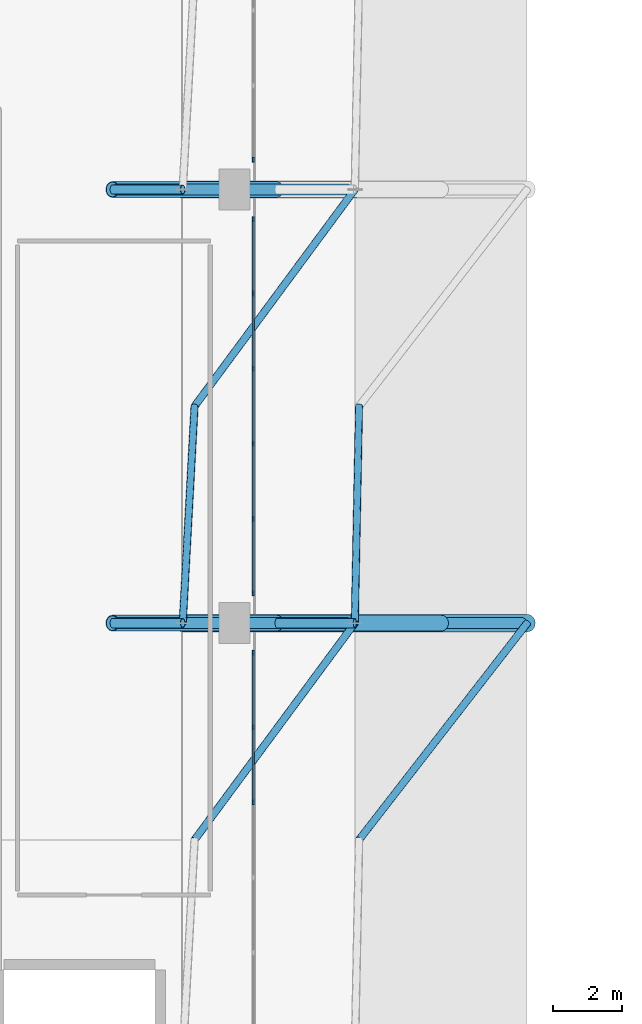
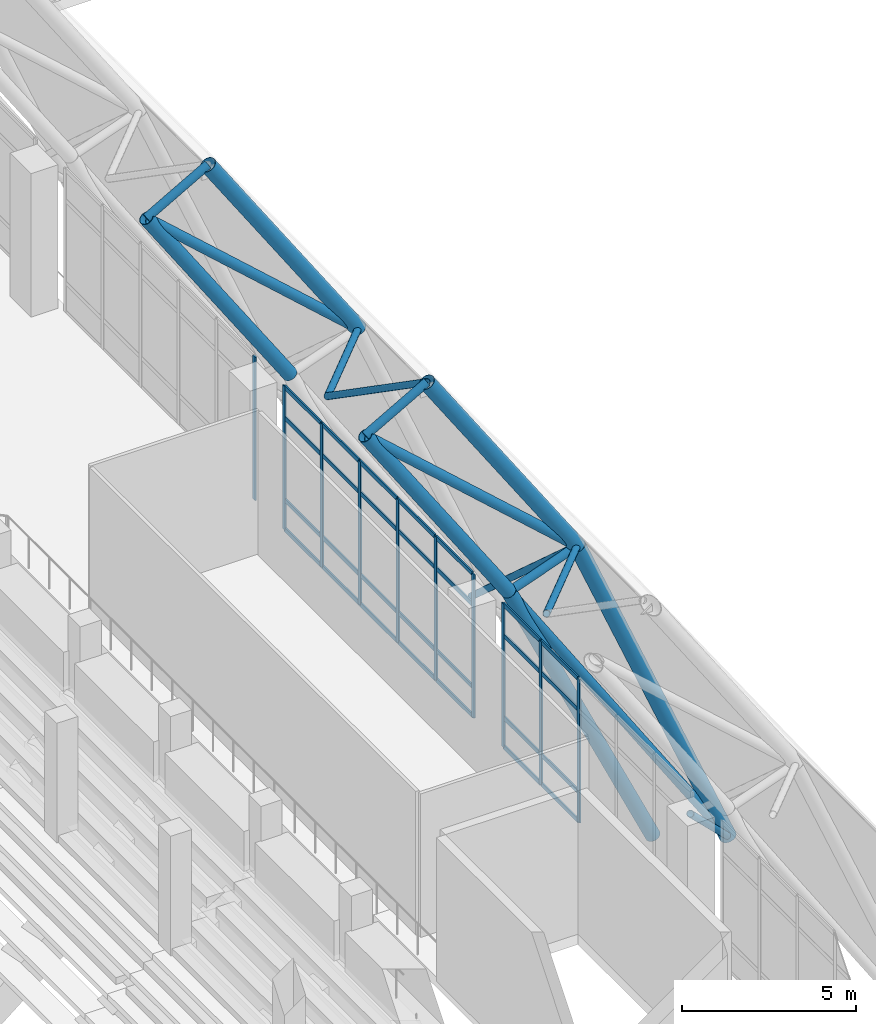
# One storey, part 53 of 159: 55 members, 3 elements without a shape of their own.
"""IFC4 building model written with IfcOpenShell, lengths in metres."""

from ifc_helpers import new_model, si_unit, derived_unit, direction, frame, origin, origin_2d, place, context, subcontext, project, spatial, rectangle, hollow_circle, extrude, material, layer, layer_set, material_profile, profile_set, type_object, element, aggregate, save


model = new_model("IFC4")

# Units and contexts
model_context = context("Model", 3, precision=1e-05, world=origin(), true_north=direction((0.0, 1.0)))
body_context = subcontext(model_context, "Body", "Model", "MODEL_VIEW")
ifc_project = project(units=[si_unit("LENGTHUNIT", "METRE"), si_unit("AREAUNIT", "SQUARE_METRE"), si_unit("VOLUMEUNIT", "CUBIC_METRE"), si_unit("PLANEANGLEUNIT", "RADIAN"), si_unit("MASSUNIT", "GRAM", prefix="KILO"), derived_unit("THERMALTRANSMITTANCEUNIT", [(si_unit("MASSUNIT", "GRAM", prefix="KILO"), 1), (si_unit("TIMEUNIT", "SECOND"), -3), (si_unit("THERMODYNAMICTEMPERATUREUNIT", "KELVIN"), -1)])], contexts=[model_context])

# Site, building, storey
site_placement = place(None, origin())
site = spatial("IfcSite", under=ifc_project, at=site_placement, CompositionType="ELEMENT")
building_placement = place(site_placement, origin())
building = spatial("IfcBuilding", under=site, at=building_placement, Name="Valcora Ridge Arena", CompositionType="ELEMENT")
storey_placement = place(building_placement, frame((0.0, 0.0, 6.0)))
storey = spatial("IfcBuildingStorey", under=building, at=storey_placement, Name="L01", CompositionType="ELEMENT", Elevation=6.0)

# Curtain wall, members
ifc_material_1 = material(Name="Anodised dark bronze architectural aluminium 6063-T6", Category="aluminium")
ifc_layer = layer(ifc_material_1, 0.14990234375, Name="Anodised dark bronze architectural aluminium 6063-T6")
ifc_layer_set = layer_set([ifc_layer], Name="Anodised dark bronze architectural aluminium 6063-T6")
curtain_wall_type = type_object("IfcCurtainWallType", Name="TY-CURTAINWALL-CW-V1-EAST-109X50", PredefinedType="NOTDEFINED", material=ifc_layer_set)
curtain_wall_1_placement = place(storey_placement, origin())
curtain_wall_1 = element("IfcCurtainWall", 1, at=curtain_wall_1_placement, inside=storey, type_object=curtain_wall_type, Name="CW-V1-EAST-109X50 CW-0109", PredefinedType="NOTDEFINED")
ifc_material_profile_1 = material_profile(ifc_material_1, rectangle(XDim=0.050048828125, YDim=0.14990234375, at=origin_2d()), Name="ALU MULLION 50x150")
ifc_profile_set_1 = profile_set([ifc_material_profile_1], Name="Anodised dark bronze architectural aluminium 6063-T6")
member_type_1 = type_object("IfcMemberType", Name="TY-MEM-CWM-50x150", PredefinedType="MULLION", material=ifc_profile_set_1)
member_1_placement = place(storey_placement, frame((103.050048828125, 65.19189453125, 0.0), z_axis=(0.0, 0.0, 1.0), x_axis=(-1.0, 0.0, 0.0)))
member_1 = element("IfcMember", 2, at=member_1_placement, type_object=member_type_1, Name="CW-0109/CWM-50x150/M03", PredefinedType="MULLION", context=body_context, shape_type="SweptSolid", body=[
    extrude(rectangle(XDim=0.050048828125, YDim=0.14990234375, at=origin_2d()), origin(), (0.0, 0.0, 1.0), 5.0400390625),
])
member_2_placement = place(storey_placement, frame((103.050048828125, 67.3759765625, 0.0), z_axis=(0.0, 0.0, 1.0), x_axis=(-1.0, 0.0, 0.0)))
member_2 = element("IfcMember", 3, at=member_2_placement, type_object=member_type_1, Name="CW-0109/CWM-50x150/M04", PredefinedType="MULLION", context=body_context, shape_type="SweptSolid", body=[
    extrude(rectangle(XDim=0.050048828125, YDim=0.14990234375, at=origin_2d()), origin(), (0.0, 0.0, 1.0), 5.0400390625),
])
member_3_placement = place(storey_placement, frame((103.050048828125, 69.534912109375, 0.0), z_axis=(0.0, 0.0, 1.0), x_axis=(-1.0, 0.0, 0.0)))
member_3 = element("IfcMember", 4, at=member_3_placement, type_object=member_type_1, Name="CW-0109/CWM-50x150/M05", PredefinedType="MULLION", context=body_context, shape_type="SweptSolid", body=[
    extrude(rectangle(XDim=0.050048828125, YDim=0.14990234375, at=origin_2d()), origin(), (0.0, 0.0, 1.0), 5.0400390625),
])

curtain_wall_2_placement = place(storey_placement, origin())
curtain_wall_2 = element("IfcCurtainWall", 5, at=curtain_wall_2_placement, inside=storey, type_object=curtain_wall_type, Name="CW-V1-EAST-109X50 CW-0110", PredefinedType="NOTDEFINED")
member_4_placement = place(storey_placement, frame((103.050048828125, 71.264892578125, 0.0), z_axis=(0.0, 0.0, 1.0), x_axis=(-1.0, 0.0, 0.0)))
member_4 = element("IfcMember", 6, at=member_4_placement, type_object=member_type_1, Name="CW-0110/CWM-50x150/M00", PredefinedType="MULLION", context=body_context, shape_type="SweptSolid", body=[
    extrude(rectangle(XDim=0.050048828125, YDim=0.14990234375, at=origin_2d()), origin(), (0.0, 0.0, 1.0), 5.0400390625),
])
member_5_placement = place(storey_placement, frame((103.050048828125, 73.424072265625, 0.0), z_axis=(0.0, 0.0, 1.0), x_axis=(-1.0, 0.0, 0.0)))
member_5 = element("IfcMember", 7, at=member_5_placement, type_object=member_type_1, Name="CW-0110/CWM-50x150/M01", PredefinedType="MULLION", context=body_context, shape_type="SweptSolid", body=[
    extrude(rectangle(XDim=0.050048828125, YDim=0.14990234375, at=origin_2d()), origin(), (0.0, 0.0, 1.0), 5.0400390625),
])
member_6_placement = place(storey_placement, frame((103.050048828125, 75.60791015625, 0.0), z_axis=(0.0, 0.0, 1.0), x_axis=(-1.0, 0.0, 0.0)))
member_6 = element("IfcMember", 8, at=member_6_placement, type_object=member_type_1, Name="CW-0110/CWM-50x150/M02", PredefinedType="MULLION", context=body_context, shape_type="SweptSolid", body=[
    extrude(rectangle(XDim=0.050048828125, YDim=0.14990234375, at=origin_2d()), origin(), (0.0, 0.0, 1.0), 5.0400390625),
])
member_7_placement = place(storey_placement, frame((103.050048828125, 77.7919921875, 0.0), z_axis=(0.0, 0.0, 1.0), x_axis=(-1.0, 0.0, 0.0)))
member_7 = element("IfcMember", 9, at=member_7_placement, type_object=member_type_1, Name="CW-0110/CWM-50x150/M03", PredefinedType="MULLION", context=body_context, shape_type="SweptSolid", body=[
    extrude(rectangle(XDim=0.050048828125, YDim=0.14990234375, at=origin_2d()), origin(), (0.0, 0.0, 1.0), 5.0400390625),
])
member_8_placement = place(storey_placement, frame((103.050048828125, 79.97607421875, 0.0), z_axis=(0.0, 0.0, 1.0), x_axis=(-1.0, 0.0, 0.0)))
member_8 = element("IfcMember", 10, at=member_8_placement, type_object=member_type_1, Name="CW-0110/CWM-50x150/M04", PredefinedType="MULLION", context=body_context, shape_type="SweptSolid", body=[
    extrude(rectangle(XDim=0.050048828125, YDim=0.14990234375, at=origin_2d()), origin(), (0.0, 0.0, 1.0), 5.0400390625),
])
member_9_placement = place(storey_placement, frame((103.050048828125, 82.135009765625, 0.0), z_axis=(0.0, 0.0, 1.0), x_axis=(-1.0, 0.0, 0.0)))
member_9 = element("IfcMember", 11, at=member_9_placement, type_object=member_type_1, Name="CW-0110/CWM-50x150/M05", PredefinedType="MULLION", context=body_context, shape_type="SweptSolid", body=[
    extrude(rectangle(XDim=0.050048828125, YDim=0.14990234375, at=origin_2d()), origin(), (0.0, 0.0, 1.0), 5.0400390625),
])

# Curtain wall, member
curtain_wall_3_placement = place(storey_placement, origin())
curtain_wall_3 = element("IfcCurtainWall", 12, at=curtain_wall_3_placement, inside=storey, type_object=curtain_wall_type, Name="CW-V1-EAST-109X50 CW-0111", PredefinedType="NOTDEFINED")
member_10_placement = place(storey_placement, frame((103.050048828125, 83.864990234375, 0.0), z_axis=(0.0, 0.0, 1.0), x_axis=(-1.0, 0.0, 0.0)))
member_10 = element("IfcMember", 13, at=member_10_placement, type_object=member_type_1, Name="CW-0111/CWM-50x150/M00", PredefinedType="MULLION", context=body_context, shape_type="SweptSolid", body=[
    extrude(rectangle(XDim=0.050048828125, YDim=0.14990234375, at=origin_2d()), origin(), (0.0, 0.0, 1.0), 5.0400390625),
])
aggregate(curtain_wall_3, [member_10])

# Member
ifc_material_profile_2 = material_profile(ifc_material_1, rectangle(XDim=0.050048828125, YDim=0.14990234375, at=origin_2d()), Name="ALU TRANSOM 50x150")
ifc_profile_set_2 = profile_set([ifc_material_profile_2], Name="Anodised dark bronze architectural aluminium 6063-T6")
member_type_2 = type_object("IfcMemberType", Name="TY-MEM-CWT-50x150", PredefinedType="USERDEFINED", material=ifc_profile_set_2)
member_11_placement = place(storey_placement, frame((103.050048828125, 65.217041015625, 0.02490234375), z_axis=(0.0, 1.0, 0.0), x_axis=(-1.0, 0.0, 0.0)))
member_11 = element("IfcMember", 14, at=member_11_placement, type_object=member_type_2, Name="CW-0109/CWT-50x150/T03-00", ObjectType="TRANSOM", PredefinedType="USERDEFINED", context=body_context, shape_type="SweptSolid", body=[
    extrude(rectangle(XDim=0.050048828125, YDim=0.14990234375, at=origin_2d()), origin(), (0.0, 0.0, 1.0), 2.134033203125),
])

member_12_placement = place(storey_placement, frame((103.050048828125, 65.217041015625, 1.050048828125), z_axis=(0.0, 1.0, 0.0), x_axis=(-1.0, 0.0, 0.0)))
member_12 = element("IfcMember", 15, at=member_12_placement, type_object=member_type_2, Name="CW-0109/CWT-50x150/T03-01", ObjectType="TRANSOM", PredefinedType="USERDEFINED", context=body_context, shape_type="SweptSolid", body=[
    extrude(rectangle(XDim=0.050048828125, YDim=0.14990234375, at=origin_2d()), origin(), (0.0, 0.0, 1.0), 2.134033203125),
])

member_13_placement = place(storey_placement, frame((103.050048828125, 65.217041015625, 3.93994140625), z_axis=(0.0, 1.0, 0.0), x_axis=(-1.0, 0.0, 0.0)))
member_13 = element("IfcMember", 16, at=member_13_placement, type_object=member_type_2, Name="CW-0109/CWT-50x150/T03-02", ObjectType="TRANSOM", PredefinedType="USERDEFINED", context=body_context, shape_type="SweptSolid", body=[
    extrude(rectangle(XDim=0.050048828125, YDim=0.14990234375, at=origin_2d()), origin(), (0.0, 0.0, 1.0), 2.134033203125),
])

member_14_placement = place(storey_placement, frame((103.050048828125, 65.217041015625, 5.014892578125), z_axis=(0.0, 1.0, 0.0), x_axis=(-1.0, 0.0, 0.0)))
member_14 = element("IfcMember", 17, at=member_14_placement, type_object=member_type_2, Name="CW-0109/CWT-50x150/T03-03", ObjectType="TRANSOM", PredefinedType="USERDEFINED", context=body_context, shape_type="SweptSolid", body=[
    extrude(rectangle(XDim=0.050048828125, YDim=0.14990234375, at=origin_2d()), origin(), (0.0, 0.0, 1.0), 2.134033203125),
])

member_15_placement = place(storey_placement, frame((103.050048828125, 67.40087890625, 0.02490234375), z_axis=(0.0, 1.0, 0.0), x_axis=(-1.0, 0.0, 0.0)))
member_15 = element("IfcMember", 18, at=member_15_placement, type_object=member_type_2, Name="CW-0109/CWT-50x150/T04-00", ObjectType="TRANSOM", PredefinedType="USERDEFINED", context=body_context, shape_type="SweptSolid", body=[
    extrude(rectangle(XDim=0.050048828125, YDim=0.14990234375, at=origin_2d()), origin(), (0.0, 0.0, 1.0), 2.109130859375),
])

member_16_placement = place(storey_placement, frame((103.050048828125, 67.40087890625, 1.050048828125), z_axis=(0.0, 1.0, 0.0), x_axis=(-1.0, 0.0, 0.0)))
member_16 = element("IfcMember", 19, at=member_16_placement, type_object=member_type_2, Name="CW-0109/CWT-50x150/T04-01", ObjectType="TRANSOM", PredefinedType="USERDEFINED", context=body_context, shape_type="SweptSolid", body=[
    extrude(rectangle(XDim=0.050048828125, YDim=0.14990234375, at=origin_2d()), origin(), (0.0, 0.0, 1.0), 2.109130859375),
])

member_17_placement = place(storey_placement, frame((103.050048828125, 67.40087890625, 3.93994140625), z_axis=(0.0, 1.0, 0.0), x_axis=(-1.0, 0.0, 0.0)))
member_17 = element("IfcMember", 20, at=member_17_placement, type_object=member_type_2, Name="CW-0109/CWT-50x150/T04-02", ObjectType="TRANSOM", PredefinedType="USERDEFINED", context=body_context, shape_type="SweptSolid", body=[
    extrude(rectangle(XDim=0.050048828125, YDim=0.14990234375, at=origin_2d()), origin(), (0.0, 0.0, 1.0), 2.109130859375),
])

member_18_placement = place(storey_placement, frame((103.050048828125, 67.40087890625, 5.014892578125), z_axis=(0.0, 1.0, 0.0), x_axis=(-1.0, 0.0, 0.0)))
member_18 = element("IfcMember", 21, at=member_18_placement, type_object=member_type_2, Name="CW-0109/CWT-50x150/T04-03", ObjectType="TRANSOM", PredefinedType="USERDEFINED", context=body_context, shape_type="SweptSolid", body=[
    extrude(rectangle(XDim=0.050048828125, YDim=0.14990234375, at=origin_2d()), origin(), (0.0, 0.0, 1.0), 2.109130859375),
])

aggregate(curtain_wall_1, [member_1, member_2, member_3, member_11, member_12, member_13, member_14, member_15, member_16, member_17, member_18])

member_19_placement = place(storey_placement, frame((103.050048828125, 71.2900390625, 0.02490234375), z_axis=(0.0, 1.0, 0.0), x_axis=(-1.0, 0.0, 0.0)))
member_19 = element("IfcMember", 22, at=member_19_placement, type_object=member_type_2, Name="CW-0110/CWT-50x150/T00-00", ObjectType="TRANSOM", PredefinedType="USERDEFINED", context=body_context, shape_type="SweptSolid", body=[
    extrude(rectangle(XDim=0.050048828125, YDim=0.14990234375, at=origin_2d()), origin(), (0.0, 0.0, 1.0), 2.10888671875),
])

member_20_placement = place(storey_placement, frame((103.050048828125, 71.2900390625, 1.050048828125), z_axis=(0.0, 1.0, 0.0), x_axis=(-1.0, 0.0, 0.0)))
member_20 = element("IfcMember", 23, at=member_20_placement, type_object=member_type_2, Name="CW-0110/CWT-50x150/T00-01", ObjectType="TRANSOM", PredefinedType="USERDEFINED", context=body_context, shape_type="SweptSolid", body=[
    extrude(rectangle(XDim=0.050048828125, YDim=0.14990234375, at=origin_2d()), origin(), (0.0, 0.0, 1.0), 2.10888671875),
])

member_21_placement = place(storey_placement, frame((103.050048828125, 71.2900390625, 3.93994140625), z_axis=(0.0, 1.0, 0.0), x_axis=(-1.0, 0.0, 0.0)))
member_21 = element("IfcMember", 24, at=member_21_placement, type_object=member_type_2, Name="CW-0110/CWT-50x150/T00-02", ObjectType="TRANSOM", PredefinedType="USERDEFINED", context=body_context, shape_type="SweptSolid", body=[
    extrude(rectangle(XDim=0.050048828125, YDim=0.14990234375, at=origin_2d()), origin(), (0.0, 0.0, 1.0), 2.10888671875),
])

member_22_placement = place(storey_placement, frame((103.050048828125, 71.2900390625, 5.014892578125), z_axis=(0.0, 1.0, 0.0), x_axis=(-1.0, 0.0, 0.0)))
member_22 = element("IfcMember", 25, at=member_22_placement, type_object=member_type_2, Name="CW-0110/CWT-50x150/T00-03", ObjectType="TRANSOM", PredefinedType="USERDEFINED", context=body_context, shape_type="SweptSolid", body=[
    extrude(rectangle(XDim=0.050048828125, YDim=0.14990234375, at=origin_2d()), origin(), (0.0, 0.0, 1.0), 2.10888671875),
])

member_23_placement = place(storey_placement, frame((103.050048828125, 73.448974609375, 0.02490234375), z_axis=(0.0, 1.0, 0.0), x_axis=(-1.0, 0.0, 0.0)))
member_23 = element("IfcMember", 26, at=member_23_placement, type_object=member_type_2, Name="CW-0110/CWT-50x150/T01-00", ObjectType="TRANSOM", PredefinedType="USERDEFINED", context=body_context, shape_type="SweptSolid", body=[
    extrude(rectangle(XDim=0.050048828125, YDim=0.14990234375, at=origin_2d()), origin(), (0.0, 0.0, 1.0), 2.134033203125),
])

member_24_placement = place(storey_placement, frame((103.050048828125, 73.448974609375, 1.050048828125), z_axis=(0.0, 1.0, 0.0), x_axis=(-1.0, 0.0, 0.0)))
member_24 = element("IfcMember", 27, at=member_24_placement, type_object=member_type_2, Name="CW-0110/CWT-50x150/T01-01", ObjectType="TRANSOM", PredefinedType="USERDEFINED", context=body_context, shape_type="SweptSolid", body=[
    extrude(rectangle(XDim=0.050048828125, YDim=0.14990234375, at=origin_2d()), origin(), (0.0, 0.0, 1.0), 2.134033203125),
])

member_25_placement = place(storey_placement, frame((103.050048828125, 73.448974609375, 3.93994140625), z_axis=(0.0, 1.0, 0.0), x_axis=(-1.0, 0.0, 0.0)))
member_25 = element("IfcMember", 28, at=member_25_placement, type_object=member_type_2, Name="CW-0110/CWT-50x150/T01-02", ObjectType="TRANSOM", PredefinedType="USERDEFINED", context=body_context, shape_type="SweptSolid", body=[
    extrude(rectangle(XDim=0.050048828125, YDim=0.14990234375, at=origin_2d()), origin(), (0.0, 0.0, 1.0), 2.134033203125),
])

member_26_placement = place(storey_placement, frame((103.050048828125, 73.448974609375, 5.014892578125), z_axis=(0.0, 1.0, 0.0), x_axis=(-1.0, 0.0, 0.0)))
member_26 = element("IfcMember", 29, at=member_26_placement, type_object=member_type_2, Name="CW-0110/CWT-50x150/T01-03", ObjectType="TRANSOM", PredefinedType="USERDEFINED", context=body_context, shape_type="SweptSolid", body=[
    extrude(rectangle(XDim=0.050048828125, YDim=0.14990234375, at=origin_2d()), origin(), (0.0, 0.0, 1.0), 2.134033203125),
])

member_27_placement = place(storey_placement, frame((103.050048828125, 75.633056640625, 0.02490234375), z_axis=(0.0, 1.0, 0.0), x_axis=(-1.0, 0.0, 0.0)))
member_27 = element("IfcMember", 30, at=member_27_placement, type_object=member_type_2, Name="CW-0110/CWT-50x150/T02-00", ObjectType="TRANSOM", PredefinedType="USERDEFINED", context=body_context, shape_type="SweptSolid", body=[
    extrude(rectangle(XDim=0.050048828125, YDim=0.14990234375, at=origin_2d()), origin(), (0.0, 0.0, 1.0), 2.134033203125),
])

member_28_placement = place(storey_placement, frame((103.050048828125, 75.633056640625, 1.050048828125), z_axis=(0.0, 1.0, 0.0), x_axis=(-1.0, 0.0, 0.0)))
member_28 = element("IfcMember", 31, at=member_28_placement, type_object=member_type_2, Name="CW-0110/CWT-50x150/T02-01", ObjectType="TRANSOM", PredefinedType="USERDEFINED", context=body_context, shape_type="SweptSolid", body=[
    extrude(rectangle(XDim=0.050048828125, YDim=0.14990234375, at=origin_2d()), origin(), (0.0, 0.0, 1.0), 2.134033203125),
])

member_29_placement = place(storey_placement, frame((103.050048828125, 75.633056640625, 3.93994140625), z_axis=(0.0, 1.0, 0.0), x_axis=(-1.0, 0.0, 0.0)))
member_29 = element("IfcMember", 32, at=member_29_placement, type_object=member_type_2, Name="CW-0110/CWT-50x150/T02-02", ObjectType="TRANSOM", PredefinedType="USERDEFINED", context=body_context, shape_type="SweptSolid", body=[
    extrude(rectangle(XDim=0.050048828125, YDim=0.14990234375, at=origin_2d()), origin(), (0.0, 0.0, 1.0), 2.134033203125),
])

member_30_placement = place(storey_placement, frame((103.050048828125, 75.633056640625, 5.014892578125), z_axis=(0.0, 1.0, 0.0), x_axis=(-1.0, 0.0, 0.0)))
member_30 = element("IfcMember", 33, at=member_30_placement, type_object=member_type_2, Name="CW-0110/CWT-50x150/T02-03", ObjectType="TRANSOM", PredefinedType="USERDEFINED", context=body_context, shape_type="SweptSolid", body=[
    extrude(rectangle(XDim=0.050048828125, YDim=0.14990234375, at=origin_2d()), origin(), (0.0, 0.0, 1.0), 2.134033203125),
])

member_31_placement = place(storey_placement, frame((103.050048828125, 77.81689453125, 0.02490234375), z_axis=(0.0, 1.0, 0.0), x_axis=(-1.0, 0.0, 0.0)))
member_31 = element("IfcMember", 34, at=member_31_placement, type_object=member_type_2, Name="CW-0110/CWT-50x150/T03-00", ObjectType="TRANSOM", PredefinedType="USERDEFINED", context=body_context, shape_type="SweptSolid", body=[
    extrude(rectangle(XDim=0.050048828125, YDim=0.14990234375, at=origin_2d()), origin(), (0.0, 0.0, 1.0), 2.134033203125),
])

member_32_placement = place(storey_placement, frame((103.050048828125, 77.81689453125, 1.050048828125), z_axis=(0.0, 1.0, 0.0), x_axis=(-1.0, 0.0, 0.0)))
member_32 = element("IfcMember", 35, at=member_32_placement, type_object=member_type_2, Name="CW-0110/CWT-50x150/T03-01", ObjectType="TRANSOM", PredefinedType="USERDEFINED", context=body_context, shape_type="SweptSolid", body=[
    extrude(rectangle(XDim=0.050048828125, YDim=0.14990234375, at=origin_2d()), origin(), (0.0, 0.0, 1.0), 2.134033203125),
])

member_33_placement = place(storey_placement, frame((103.050048828125, 77.81689453125, 3.93994140625), z_axis=(0.0, 1.0, 0.0), x_axis=(-1.0, 0.0, 0.0)))
member_33 = element("IfcMember", 36, at=member_33_placement, type_object=member_type_2, Name="CW-0110/CWT-50x150/T03-02", ObjectType="TRANSOM", PredefinedType="USERDEFINED", context=body_context, shape_type="SweptSolid", body=[
    extrude(rectangle(XDim=0.050048828125, YDim=0.14990234375, at=origin_2d()), origin(), (0.0, 0.0, 1.0), 2.134033203125),
])

member_34_placement = place(storey_placement, frame((103.050048828125, 77.81689453125, 5.014892578125), z_axis=(0.0, 1.0, 0.0), x_axis=(-1.0, 0.0, 0.0)))
member_34 = element("IfcMember", 37, at=member_34_placement, type_object=member_type_2, Name="CW-0110/CWT-50x150/T03-03", ObjectType="TRANSOM", PredefinedType="USERDEFINED", context=body_context, shape_type="SweptSolid", body=[
    extrude(rectangle(XDim=0.050048828125, YDim=0.14990234375, at=origin_2d()), origin(), (0.0, 0.0, 1.0), 2.134033203125),
])

member_35_placement = place(storey_placement, frame((103.050048828125, 80.0009765625, 0.02490234375), z_axis=(0.0, 1.0, 0.0), x_axis=(-1.0, 0.0, 0.0)))
member_35 = element("IfcMember", 38, at=member_35_placement, type_object=member_type_2, Name="CW-0110/CWT-50x150/T04-00", ObjectType="TRANSOM", PredefinedType="USERDEFINED", context=body_context, shape_type="SweptSolid", body=[
    extrude(rectangle(XDim=0.050048828125, YDim=0.14990234375, at=origin_2d()), origin(), (0.0, 0.0, 1.0), 2.109130859375),
])

member_36_placement = place(storey_placement, frame((103.050048828125, 80.0009765625, 1.050048828125), z_axis=(0.0, 1.0, 0.0), x_axis=(-1.0, 0.0, 0.0)))
member_36 = element("IfcMember", 39, at=member_36_placement, type_object=member_type_2, Name="CW-0110/CWT-50x150/T04-01", ObjectType="TRANSOM", PredefinedType="USERDEFINED", context=body_context, shape_type="SweptSolid", body=[
    extrude(rectangle(XDim=0.050048828125, YDim=0.14990234375, at=origin_2d()), origin(), (0.0, 0.0, 1.0), 2.109130859375),
])

member_37_placement = place(storey_placement, frame((103.050048828125, 80.0009765625, 3.93994140625), z_axis=(0.0, 1.0, 0.0), x_axis=(-1.0, 0.0, 0.0)))
member_37 = element("IfcMember", 40, at=member_37_placement, type_object=member_type_2, Name="CW-0110/CWT-50x150/T04-02", ObjectType="TRANSOM", PredefinedType="USERDEFINED", context=body_context, shape_type="SweptSolid", body=[
    extrude(rectangle(XDim=0.050048828125, YDim=0.14990234375, at=origin_2d()), origin(), (0.0, 0.0, 1.0), 2.109130859375),
])

member_38_placement = place(storey_placement, frame((103.050048828125, 80.0009765625, 5.014892578125), z_axis=(0.0, 1.0, 0.0), x_axis=(-1.0, 0.0, 0.0)))
member_38 = element("IfcMember", 41, at=member_38_placement, type_object=member_type_2, Name="CW-0110/CWT-50x150/T04-03", ObjectType="TRANSOM", PredefinedType="USERDEFINED", context=body_context, shape_type="SweptSolid", body=[
    extrude(rectangle(XDim=0.050048828125, YDim=0.14990234375, at=origin_2d()), origin(), (0.0, 0.0, 1.0), 2.109130859375),
])

aggregate(curtain_wall_2, [member_4, member_5, member_6, member_7, member_8, member_9, member_19, member_20, member_21, member_22, member_23, member_24, member_25, member_26, member_27, member_28, member_29, member_30, member_31, member_32, member_33, member_34, member_35, member_36, member_37, member_38])

# Members
ifc_material_2 = material(Name="Steel ASTM A500 Grade C", Category="steel")
ifc_material_profile_3 = material_profile(ifc_material_2, hollow_circle(Radius=0.228515625, WallThickness=0.01611328125, at=origin_2d()), Name="CHS457X16")
ifc_profile_set_3 = profile_set([ifc_material_profile_3], Name="Steel ASTM A500 Grade C")
member_type_3 = type_object("IfcMemberType", Name="TY-MEMBER-SFBC-457", PredefinedType="CHORD", material=ifc_profile_set_3)
member_39_placement = place(storey_placement, frame((98.95654296875, 70.39990234375, 11.845947265625), z_axis=(0.554844245473, 0.0, -0.831954243493), x_axis=(0.0, 1.0, 0.0)))
element("IfcMember", 42, at=member_39_placement, inside=storey, type_object=member_type_3, Name="SFBC-457 Space Frame Bottom Chord", PredefinedType="CHORD", context=body_context, shape_type="SweptSolid", body=[
    extrude(hollow_circle(Radius=0.228515625, WallThickness=0.01611328125, at=origin_2d()), origin(), (0.0, 0.0, 1.0), 8.60400390625),
])
member_40_placement = place(storey_placement, frame((103.73046875, 70.39990234375, 4.687744140625), z_axis=(0.423307664024, 0.0, -0.90598599414), x_axis=(0.0, 1.0, 0.0)))
element("IfcMember", 43, at=member_40_placement, inside=storey, type_object=member_type_3, Name="SFBC-457 Space Frame Bottom Chord", PredefinedType="CHORD", context=body_context, shape_type="SweptSolid", body=[
    extrude(hollow_circle(Radius=0.228515625, WallThickness=0.01611328125, at=origin_2d()), origin(), (0.0, 0.0, 1.0), 11.300048828125),
])
member_41_placement = place(storey_placement, frame((98.95654296875, 83.0, 11.845947265625), z_axis=(0.554844245473, 0.0, -0.831954243493), x_axis=(0.0, 1.0, 0.0)))
element("IfcMember", 44, at=member_41_placement, inside=storey, type_object=member_type_3, Name="SFBC-457 Space Frame Bottom Chord", PredefinedType="CHORD", context=body_context, shape_type="SweptSolid", body=[
    extrude(hollow_circle(Radius=0.228515625, WallThickness=0.01611328125, at=origin_2d()), origin(), (0.0, 0.0, 1.0), 8.60400390625),
])
ifc_material_profile_4 = material_profile(ifc_material_2, hollow_circle(Radius=0.136474609375, WallThickness=0.012451171875, at=origin_2d()), Name="CHS273X12")
ifc_profile_set_4 = profile_set([ifc_material_profile_4], Name="Steel ASTM A500 Grade C")
member_type_4 = type_object("IfcMemberType", Name="TY-MEMBER-SFKP-273", PredefinedType="POST", material=ifc_profile_set_4)
member_42_placement = place(storey_placement, frame((98.95654296875, 70.39990234375, 11.845947265625), z_axis=(0.870066770029, 0.0, 0.49293388572), x_axis=(0.0, 1.0, 0.0)))
element("IfcMember", 45, at=member_42_placement, inside=storey, type_object=member_type_4, Name="SFKP-273 Space Frame King Post", PredefinedType="POST", context=body_context, shape_type="SweptSolid", body=[
    extrude(hollow_circle(Radius=0.136474609375, WallThickness=0.012451171875, at=origin_2d()), origin(), (0.0, 0.0, 1.0), 2.3486328125),
])
member_43_placement = place(storey_placement, frame((103.73046875, 70.39990234375, 4.687744140625), z_axis=(0.940679548022, 0.0, 0.339296312878), x_axis=(0.0, 1.0, 0.0)))
element("IfcMember", 46, at=member_43_placement, inside=storey, type_object=member_type_4, Name="SFKP-273 Space Frame King Post", PredefinedType="POST", context=body_context, shape_type="SweptSolid", body=[
    extrude(hollow_circle(Radius=0.136474609375, WallThickness=0.012451171875, at=origin_2d()), origin(), (0.0, 0.0, 1.0), 2.41259765625),
])
member_44_placement = place(storey_placement, frame((98.95654296875, 83.0, 11.845947265625), z_axis=(0.870066770029, 0.0, 0.49293388572), x_axis=(0.0, 1.0, 0.0)))
element("IfcMember", 47, at=member_44_placement, inside=storey, type_object=member_type_4, Name="SFKP-273 Space Frame King Post", PredefinedType="POST", context=body_context, shape_type="SweptSolid", body=[
    extrude(hollow_circle(Radius=0.136474609375, WallThickness=0.012451171875, at=origin_2d()), origin(), (0.0, 0.0, 1.0), 2.3486328125),
])
ifc_material_profile_5 = material_profile(ifc_material_2, hollow_circle(Radius=0.109619140625, WallThickness=0.010009765625, at=origin_2d()), Name="CHS219X10")
ifc_profile_set_5 = profile_set([ifc_material_profile_5], Name="Steel ASTM A500 Grade C")
member_type_5 = type_object("IfcMemberType", Name="TY-MEMBER-SFST-219", PredefinedType="STRUT", material=ifc_profile_set_5)
member_45_placement = place(storey_placement, frame((101.343505859375, 64.10009765625, 8.570068359375), z_axis=(0.553572848505, 0.748932720748, -0.364220923604), x_axis=(-0.804169017003, 0.594400699942, 0.0)))
element("IfcMember", 48, at=member_45_placement, inside=storey, type_object=member_type_5, Name="SFST-219 Space Frame Tie Strut", PredefinedType="STRUT", context=body_context, shape_type="SweptSolid", body=[
    extrude(hollow_circle(Radius=0.109619140625, WallThickness=0.010009765625, at=origin_2d()), origin(), (0.0, 0.0, 1.0), 8.41162109375),
])
member_46_placement = place(storey_placement, frame((106.122314453125, 64.10009765625, -0.131103515625), z_axis=(0.480422772988, 0.61922223947, -0.621094016507), x_axis=(-0.790090268359, 0.612990512035, 0.0)))
element("IfcMember", 49, at=member_46_placement, inside=storey, type_object=member_type_5, Name="SFST-219 Space Frame Tie Strut", PredefinedType="STRUT", context=body_context, shape_type="SweptSolid", body=[
    extrude(hollow_circle(Radius=0.109619140625, WallThickness=0.010009765625, at=origin_2d()), origin(), (0.0, 0.0, 1.0), 10.173828125),
])
member_47_placement = place(storey_placement, frame((101.343505859375, 76.699951171875, 8.570068359375), z_axis=(-0.044545322224, -0.816980838661, 0.57494175664), x_axis=(0.998516855542, -0.054443449554, 0.0)))
element("IfcMember", 50, at=member_47_placement, inside=storey, type_object=member_type_5, Name="SFST-219 Space Frame Tie Strut", PredefinedType="STRUT", context=body_context, shape_type="SweptSolid", body=[
    extrude(hollow_circle(Radius=0.109619140625, WallThickness=0.010009765625, at=origin_2d()), origin(), (0.0, 0.0, 1.0), 7.71142578125),
])
member_48_placement = place(storey_placement, frame((101.343505859375, 76.699951171875, 8.570068359375), z_axis=(0.55356081568, 0.748945464721, -0.364213006657), x_axis=(-0.804180027391, 0.59438580362, 0.0)))
element("IfcMember", 51, at=member_48_placement, inside=storey, type_object=member_type_5, Name="SFST-219 Space Frame Tie Strut", PredefinedType="STRUT", context=body_context, shape_type="SweptSolid", body=[
    extrude(hollow_circle(Radius=0.109619140625, WallThickness=0.010009765625, at=origin_2d()), origin(), (0.0, 0.0, 1.0), 8.411865234375),
])
member_49_placement = place(storey_placement, frame((106.122314453125, 76.699951171875, -0.131103515625), z_axis=(-0.014466583162, -0.745130096773, 0.666762219127), x_axis=(0.999811585217, -0.019411184042, 0.0)))
element("IfcMember", 52, at=member_49_placement, inside=storey, type_object=member_type_5, Name="SFST-219 Space Frame Tie Strut", PredefinedType="STRUT", context=body_context, shape_type="SweptSolid", body=[
    extrude(hollow_circle(Radius=0.109619140625, WallThickness=0.010009765625, at=origin_2d()), origin(), (0.0, 0.0, 1.0), 8.455078125),
])
ifc_material_profile_6 = material_profile(ifc_material_2, hollow_circle(Radius=0.25390625, WallThickness=0.01611328125, at=origin_2d()), Name="CHS508X16")
ifc_profile_set_6 = profile_set([ifc_material_profile_6], Name="Steel ASTM A500 Grade C")
member_type_6 = type_object("IfcMemberType", Name="TY-MEMBER-SFTC-508", PredefinedType="CHORD", material=ifc_profile_set_6)
member_50_placement = place(storey_placement, frame((101.0, 70.39990234375, 13.003662109375), z_axis=(0.554837731053, 0.0, -0.831958588032), x_axis=(0.0, 1.0, 0.0)))
element("IfcMember", 53, at=member_50_placement, inside=storey, type_object=member_type_6, Name="SFTC-508 Space Frame Top Chord", PredefinedType="CHORD", context=body_context, shape_type="SweptSolid", body=[
    extrude(hollow_circle(Radius=0.25390625, WallThickness=0.01611328125, at=origin_2d()), origin(), (0.0, 0.0, 1.0), 9.01171875),
])
member_51_placement = place(storey_placement, frame((106.0, 70.39990234375, 5.50634765625), z_axis=(0.386469367501, 0.0, -0.922302243293), x_axis=(0.0, 1.0, 0.0)))
element("IfcMember", 54, at=member_51_placement, inside=storey, type_object=member_type_6, Name="SFTC-508 Space Frame Top Chord", PredefinedType="CHORD", context=body_context, shape_type="SweptSolid", body=[
    extrude(hollow_circle(Radius=0.25390625, WallThickness=0.01611328125, at=origin_2d()), origin(), (0.0, 0.0, 1.0), 12.963623046875),
])
member_52_placement = place(storey_placement, frame((101.0, 83.0, 13.003662109375), z_axis=(0.554837731053, 0.0, -0.831958588032), x_axis=(0.0, 1.0, 0.0)))
element("IfcMember", 55, at=member_52_placement, inside=storey, type_object=member_type_6, Name="SFTC-508 Space Frame Top Chord", PredefinedType="CHORD", context=body_context, shape_type="SweptSolid", body=[
    extrude(hollow_circle(Radius=0.25390625, WallThickness=0.01611328125, at=origin_2d()), origin(), (0.0, 0.0, 1.0), 9.01171875),
])
ifc_material_profile_7 = material_profile(ifc_material_2, hollow_circle(Radius=0.161865234375, WallThickness=0.012451171875, at=origin_2d()), Name="CHS323X12")
ifc_profile_set_7 = profile_set([ifc_material_profile_7], Name="Steel ASTM A500 Grade C")
member_type_7 = type_object("IfcMemberType", Name="TY-MEMBER-SFWB-323", PredefinedType="BRACE", material=ifc_profile_set_7)
member_53_placement = place(storey_placement, frame((99.075439453125, 70.39990234375, 11.739013671875), z_axis=(0.743265934417, 0.0, -0.668996076771), x_axis=(0.0, 1.0, 0.0)))
element("IfcMember", 56, at=member_53_placement, inside=storey, type_object=member_type_7, Name="SFWB-323 Space Frame Diagonal Brace", PredefinedType="BRACE", context=body_context, shape_type="SweptSolid", body=[
    extrude(hollow_circle(Radius=0.161865234375, WallThickness=0.012451171875, at=origin_2d()), origin(), (0.0, 0.0, 1.0), 9.03662109375),
])
member_54_placement = place(storey_placement, frame((103.818115234375, 70.39990234375, 4.5537109375), z_axis=(0.547092389221, 0.0, -0.837072229653), x_axis=(0.0, 1.0, 0.0)))
element("IfcMember", 57, at=member_54_placement, inside=storey, type_object=member_type_7, Name="SFWB-323 Space Frame Diagonal Brace", PredefinedType="BRACE", context=body_context, shape_type="SweptSolid", body=[
    extrude(hollow_circle(Radius=0.161865234375, WallThickness=0.012451171875, at=origin_2d()), origin(), (0.0, 0.0, 1.0), 12.865478515625),
])
member_55_placement = place(storey_placement, frame((99.075439453125, 83.0, 11.739013671875), z_axis=(0.743265934417, 0.0, -0.668996076771), x_axis=(0.0, 1.0, 0.0)))
element("IfcMember", 58, at=member_55_placement, inside=storey, type_object=member_type_7, Name="SFWB-323 Space Frame Diagonal Brace", PredefinedType="BRACE", context=body_context, shape_type="SweptSolid", body=[
    extrude(hollow_circle(Radius=0.161865234375, WallThickness=0.012451171875, at=origin_2d()), origin(), (0.0, 0.0, 1.0), 9.03662109375),
])

save(model, "model.ifc")
